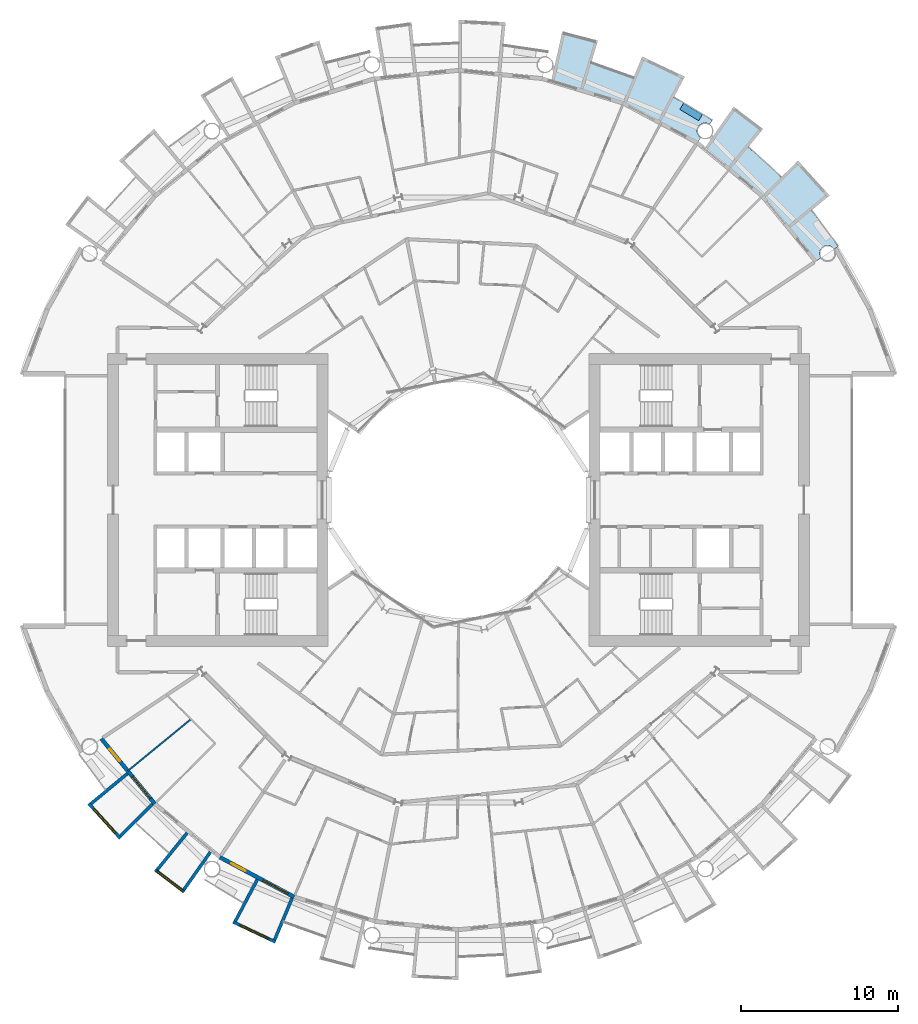
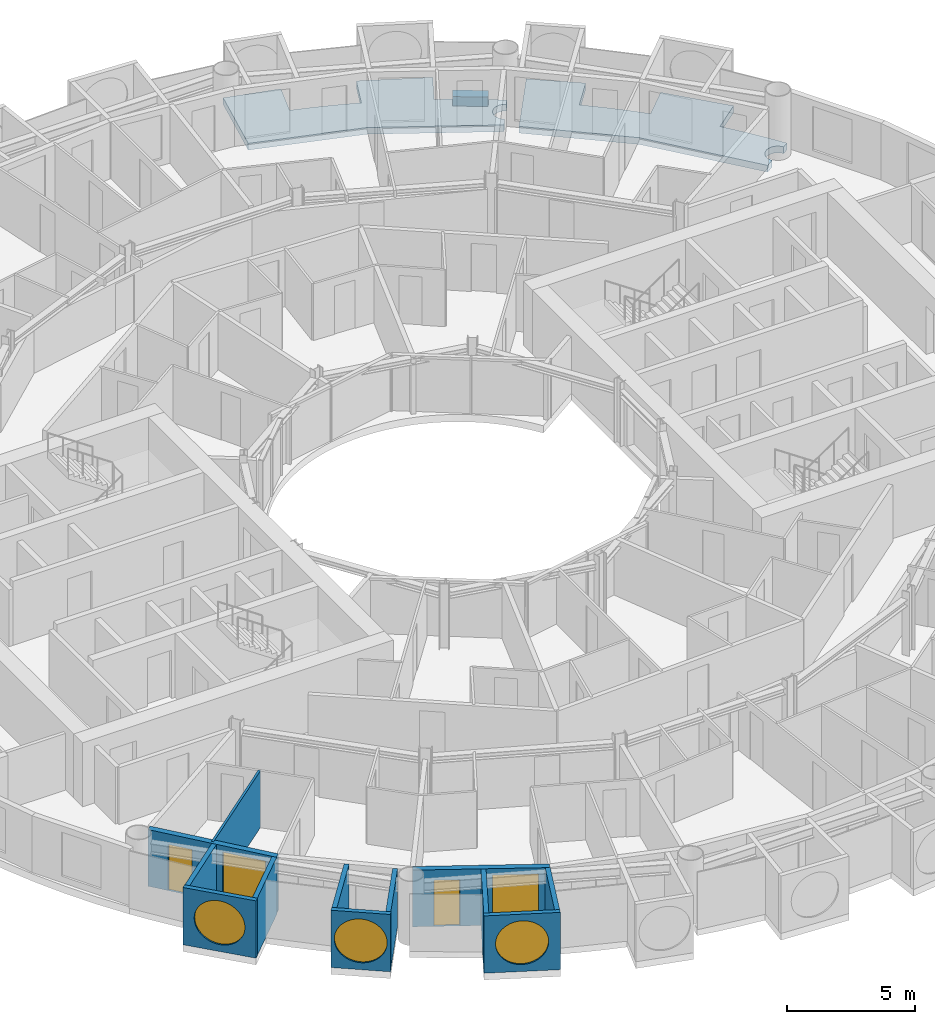
# One storey, part 12 of 26: 12 walls, 5 windows, 3 slabs, 2 doors, 7 openings.
"""IFC4 building model written with IfcOpenShell, lengths in metres."""

from ifc_helpers import new_model, si_unit, direction, frame, frame_2d, origin, place, context, subcontext, project, spatial, polyline, rectangle, circle, outline, extrude, material, layer, layer_set, type_object, element, fill, save


model = new_model("IFC4")

# Units and contexts
model_context = context("Model", 3, precision=1e-05, world=origin(), true_north=direction((0.0, 1.0)))
body_context = subcontext(model_context, "Body", "Model", "MODEL_VIEW")
ifc_project = project(units=[si_unit("LENGTHUNIT", "METRE"), si_unit("AREAUNIT", "SQUARE_METRE"), si_unit("VOLUMEUNIT", "CUBIC_METRE"), si_unit("PLANEANGLEUNIT", "RADIAN"), si_unit("MASSUNIT", "GRAM", prefix="KILO")], contexts=[model_context])

# Site, building, storey
site_placement = place(None, origin())
site = spatial("IfcSite", under=ifc_project, at=site_placement, CompositionType="ELEMENT")
building_placement = place(site_placement, origin())
building = spatial("IfcBuilding", under=site, at=building_placement, Name="Maasbend Ring Residences", CompositionType="ELEMENT")
storey_placement = place(building_placement, frame((0.0, 0.0, 66.64990234375)))
storey = spatial("IfcBuildingStorey", under=building, at=storey_placement, Name="L18", CompositionType="ELEMENT", Elevation=66.64990234375)

# Slabs
ifc_material_1 = material(Name="Planting with climbing greenery")
ifc_layer_1 = layer(ifc_material_1, 0.449951171875)
ifc_layer_set_1 = layer_set([ifc_layer_1], Name="PLANTER-LG")
slab_type_1 = type_object("IfcSlabType", Name="PLANTER-LG", PredefinedType="USERDEFINED", material=ifc_layer_set_1)
slab_1_placement = place(storey_placement, frame((0.0, 0.0, -0.02978515625)))
element("IfcSlab", 1, at=slab_1_placement, inside=storey, type_object=slab_type_1, Name="Planter with climbing greenery 2", ObjectType="PLANTER", PredefinedType="USERDEFINED", context=body_context, shape_type="SweptSolid", body=[
    extrude(outline(polyline([(15.490966796875, 24.48388671875), (14.291015625, 25.2041015625), (14.05908203125, 24.818115234375), (15.260009765625, 24.097900390625), (15.490966796875, 24.48388671875)])), origin(), (0.0, 0.0, 1.0), 0.449951171875),
])
ifc_material_2 = material(Name="Concrete C40/50", Category="concrete")
ifc_layer_2 = layer(ifc_material_2, 0.199951171875)
ifc_layer_set_2 = layer_set([ifc_layer_2], Name="Concrete C40/50")
slab_type_2 = type_object("IfcSlabType", Name="SL-LOGGIA", PredefinedType="FLOOR", material=ifc_layer_set_2)
slab_2_placement = place(storey_placement, frame((0.0, 0.0, -0.349853515625)))
element("IfcSlab", 2, at=slab_2_placement, inside=storey, type_object=slab_type_2, Name="Loggia floor 1", PredefinedType="FLOOR", context=body_context, shape_type="SweptSolid", body=[
    extrude(outline(polyline([(8.85400390625, 29.18701171875), (8.85400390625, 29.18701171875), (8.85400390625, 29.18701171875), (8.41796875, 27.751953125), (8.41796875, 27.751953125), (8.41796875, 27.751953125), (8.41796875, 27.751953125), (8.41796875, 27.751953125), (8.41796875, 27.751953125), (8.41796875, 27.7509765625), (8.41796875, 27.7509765625), (8.41796875, 27.7509765625), (8.41796875, 27.7509765625), (8.41796875, 27.7509765625), (8.4189453125, 27.7509765625), (8.4189453125, 27.7509765625), (8.4189453125, 27.7509765625), (8.4189453125, 27.7509765625), (8.4189453125, 27.7509765625), (8.4189453125, 27.7509765625), (9.322021484375, 27.4609375), (9.322021484375, 27.4609375), (10.215087890625, 27.14111328125), (10.215087890625, 27.14111328125), (11.096923828125, 26.79296875), (11.096923828125, 26.79296875), (11.096923828125, 26.79296875), (11.097900390625, 26.79296875), (11.097900390625, 26.79296875), (11.097900390625, 26.79296875), (11.097900390625, 26.79296875), (11.097900390625, 26.79296875), (11.097900390625, 26.79296875), (11.097900390625, 26.79296875), (11.097900390625, 26.79296875), (11.097900390625, 26.79296875), (11.097900390625, 26.79296875), (11.097900390625, 26.79296875), (11.097900390625, 26.79296875), (11.097900390625, 26.79296875), (11.097900390625, 26.79296875), (11.672119140625, 28.177978515625), (11.672119140625, 28.177978515625), (11.672119140625, 28.177978515625), (14.3779296875, 26.89892578125), (14.3779296875, 26.89892578125), (14.3779296875, 26.89892578125), (13.6708984375, 25.575927734375), (13.6708984375, 25.575927734375), (13.6708984375, 25.575927734375), (13.6708984375, 25.575927734375), (13.6708984375, 25.575927734375), (13.6708984375, 25.575927734375), (13.6708984375, 25.575927734375), (13.6708984375, 25.575927734375), (13.6708984375, 25.575927734375), (13.6708984375, 25.575927734375), (13.6708984375, 25.575927734375), (13.6708984375, 25.575927734375), (13.6708984375, 25.575927734375), (13.6708984375, 25.575927734375), (13.6708984375, 25.575927734375), (13.6708984375, 25.575927734375), (13.6708984375, 25.574951171875), (14.5, 25.114990234375), (14.5, 25.114990234375), (15.31396484375, 24.626953125), (15.31396484375, 24.626953125), (16.112060546875, 24.113037109375), (16.112060546875, 24.113037109375), (16.112060546875, 24.113037109375), (15.948974609375, 23.8701171875), (15.93896484375, 23.876953125), (15.927978515625, 23.883056640625), (15.9169921875, 23.888916015625), (15.906982421875, 23.89501953125), (15.89599609375, 23.90087890625), (15.884033203125, 23.906982421875), (15.873046875, 23.912109375), (15.862060546875, 23.9169921875), (15.85009765625, 23.9208984375), (15.837890625, 23.926025390625), (15.825927734375, 23.929931640625), (15.81494140625, 23.93408203125), (15.802978515625, 23.93701171875), (15.791015625, 23.93994140625), (15.778076171875, 23.943115234375), (15.76611328125, 23.946044921875), (15.75390625, 23.947998046875), (15.741943359375, 23.949951171875), (15.72900390625, 23.951904296875), (15.717041015625, 23.952880859375), (15.7041015625, 23.9541015625), (15.69189453125, 23.955078125), (15.679931640625, 23.955078125), (15.6669921875, 23.955078125), (15.655029296875, 23.955078125), (15.64208984375, 23.955078125), (15.6298828125, 23.9541015625), (15.616943359375, 23.952880859375), (15.60498046875, 23.951904296875), (15.593017578125, 23.949951171875), (15.580078125, 23.947998046875), (15.568115234375, 23.946044921875), (15.555908203125, 23.943115234375), (15.5439453125, 23.93994140625), (15.531982421875, 23.93701171875), (15.52001953125, 23.93408203125), (15.508056640625, 23.929931640625), (15.49609375, 23.926025390625), (15.48388671875, 23.9208984375), (15.472900390625, 23.9169921875), (15.4609375, 23.912109375), (15.449951171875, 23.906982421875), (15.43896484375, 23.90087890625), (15.427978515625, 23.89501953125), (15.4169921875, 23.888916015625), (15.406005859375, 23.883056640625), (15.39501953125, 23.876953125), (15.385009765625, 23.8701171875), (15.375, 23.863037109375), (15.364013671875, 23.85498046875), (15.35498046875, 23.847900390625), (15.344970703125, 23.840087890625), (15.3349609375, 23.83203125), (15.325927734375, 23.823974609375), (15.31689453125, 23.81494140625), (15.30810546875, 23.806884765625), (15.299072265625, 23.798095703125), (15.291015625, 23.7890625), (15.281982421875, 23.779052734375), (15.27392578125, 23.77001953125), (15.26708984375, 23.760009765625), (15.259033203125, 23.75), (15.251953125, 23.739990234375), (15.2451171875, 23.72998046875), (15.238037109375, 23.718994140625), (15.23095703125, 23.708984375), (15.22509765625, 23.697998046875), (15.218994140625, 23.68701171875), (15.212890625, 23.676025390625), (15.2080078125, 23.6650390625), (15.202880859375, 23.653076171875), (15.197998046875, 23.64208984375), (15.193115234375, 23.6298828125), (15.18896484375, 23.618896484375), (15.18505859375, 23.60693359375), (15.180908203125, 23.594970703125), (15.177978515625, 23.5830078125), (15.174072265625, 23.571044921875), (15.1708984375, 23.55908203125), (15.1689453125, 23.547119140625), (15.1669921875, 23.533935546875), (15.1650390625, 23.52197265625), (15.1630859375, 23.510009765625), (15.162109375, 23.4970703125), (15.159912109375, 23.485107421875), (15.159912109375, 23.471923828125), (15.158935546875, 23.4599609375), (15.158935546875, 23.447021484375), (15.158935546875, 23.43505859375), (15.159912109375, 23.422119140625), (15.159912109375, 23.409912109375), (15.162109375, 23.39794921875), (15.1630859375, 23.385009765625), (15.1650390625, 23.373046875), (15.1669921875, 23.361083984375), (15.1689453125, 23.347900390625), (15.1708984375, 23.3359375), (15.174072265625, 23.323974609375), (15.177978515625, 23.31201171875), (15.180908203125, 23.300048828125), (15.18505859375, 23.2880859375), (15.18896484375, 23.27587890625), (15.193115234375, 23.264892578125), (15.197998046875, 23.2529296875), (15.202880859375, 23.241943359375), (15.2080078125, 23.22998046875), (15.212890625, 23.218994140625), (15.218994140625, 23.2080078125), (15.22509765625, 23.197021484375), (15.23095703125, 23.18603515625), (15.238037109375, 23.176025390625), (15.2451171875, 23.1650390625), (15.251953125, 23.155029296875), (15.259033203125, 23.14501953125), (15.26708984375, 23.135009765625), (15.27392578125, 23.125), (15.281982421875, 23.115966796875), (15.291015625, 23.10595703125), (15.299072265625, 23.096923828125), (15.30810546875, 23.087890625), (15.31689453125, 23.0791015625), (15.325927734375, 23.071044921875), (15.3349609375, 23.06298828125), (15.344970703125, 23.054931640625), (15.35498046875, 23.047119140625), (15.364013671875, 23.0390625), (15.375, 23.031982421875), (15.385009765625, 23.02490234375), (15.1669921875, 22.698974609375), (15.1669921875, 22.698974609375), (15.1669921875, 22.698974609375), (12.806884765625, 23.9609375), (10.447021484375, 25.221923828125), (10.447021484375, 25.221923828125), (10.447021484375, 25.221923828125), (7.886962890625, 25.9990234375), (5.89111328125, 26.60400390625), (5.89111328125, 26.60400390625), (5.89111328125, 26.60400390625), (6.593994140625, 29.779052734375), (6.593994140625, 29.779052734375), (6.593994140625, 29.779052734375), (8.85400390625, 29.18701171875)])), origin(), (0.0, 0.0, 1.0), 0.320068359375),
])
slab_3_placement = place(storey_placement, frame((0.0, 0.0, -0.349853515625)))
element("IfcSlab", 3, at=slab_3_placement, inside=storey, type_object=slab_type_2, Name="Loggia floor 4", PredefinedType="FLOOR", context=body_context, shape_type="SweptSolid", body=[
    extrude(outline(polyline([(19.34912109375, 23.576904296875), (19.34912109375, 23.576904296875), (19.34912109375, 23.576904296875), (18.39794921875, 22.41796875), (18.39794921875, 22.41796875), (18.39794921875, 22.41796875), (18.39794921875, 22.41796875), (18.39794921875, 22.41796875), (18.39794921875, 22.4169921875), (18.39794921875, 22.4169921875), (18.39794921875, 22.4169921875), (18.39794921875, 22.4169921875), (18.39794921875, 22.4169921875), (18.39794921875, 22.4169921875), (18.39794921875, 22.4169921875), (18.39794921875, 22.4169921875), (18.39794921875, 22.4169921875), (18.39794921875, 22.4169921875), (18.39794921875, 22.4169921875), (18.39794921875, 22.4169921875), (19.12109375, 21.802978515625), (19.12109375, 21.802978515625), (19.823974609375, 21.166015625), (19.823974609375, 21.166015625), (20.506103515625, 20.506103515625), (20.506103515625, 20.506103515625), (20.506103515625, 20.506103515625), (20.506103515625, 20.506103515625), (20.506103515625, 20.506103515625), (20.506103515625, 20.506103515625), (20.506103515625, 20.506103515625), (20.506103515625, 20.506103515625), (20.506103515625, 20.506103515625), (20.506103515625, 20.506103515625), (20.506103515625, 20.506103515625), (20.506103515625, 20.506103515625), (20.506103515625, 20.506103515625), (20.506103515625, 20.506103515625), (20.506103515625, 20.506103515625), (20.506103515625, 20.506103515625), (20.506103515625, 20.506103515625), (21.56689453125, 21.56689453125), (21.56689453125, 21.56689453125), (21.56689453125, 21.56689453125), (23.576904296875, 19.34912109375), (23.576904296875, 19.34912109375), (23.576904296875, 19.34912109375), (22.41796875, 18.39794921875), (22.41796875, 18.39794921875), (22.41796875, 18.39794921875), (22.41796875, 18.39794921875), (22.41796875, 18.39794921875), (22.41796875, 18.39794921875), (22.41796875, 18.39697265625), (22.41796875, 18.39697265625), (22.41796875, 18.39697265625), (22.41796875, 18.39697265625), (22.41796875, 18.39697265625), (22.41796875, 18.39697265625), (22.41796875, 18.39697265625), (22.41796875, 18.39697265625), (22.41796875, 18.39697265625), (22.41796875, 18.39697265625), (22.41796875, 18.39697265625), (23.007080078125, 17.654052734375), (23.007080078125, 17.654052734375), (23.572998046875, 16.89208984375), (23.572998046875, 16.89208984375), (24.113037109375, 16.112060546875), (24.113037109375, 16.112060546875), (24.113037109375, 16.112060546875), (23.8701171875, 15.948974609375), (23.8701171875, 15.948974609375), (23.863037109375, 15.9599609375), (23.85498046875, 15.969970703125), (23.847900390625, 15.97998046875), (23.840087890625, 15.989013671875), (23.83203125, 15.9990234375), (23.823974609375, 16.008056640625), (23.81494140625, 16.01708984375), (23.806884765625, 16.02587890625), (23.798095703125, 16.034912109375), (23.7890625, 16.0439453125), (23.779052734375, 16.052001953125), (23.77001953125, 16.06005859375), (23.760009765625, 16.068115234375), (23.75, 16.074951171875), (23.739990234375, 16.08203125), (23.72998046875, 16.089111328125), (23.718994140625, 16.095947265625), (23.708984375, 16.10302734375), (23.697998046875, 16.10888671875), (23.68701171875, 16.114990234375), (23.676025390625, 16.12109375), (23.6650390625, 16.1259765625), (23.653076171875, 16.132080078125), (23.64208984375, 16.135986328125), (23.6298828125, 16.14111328125), (23.618896484375, 16.14501953125), (23.60693359375, 16.14892578125), (23.594970703125, 16.153076171875), (23.5830078125, 16.156982421875), (23.571044921875, 16.159912109375), (23.55908203125, 16.1630859375), (23.547119140625, 16.1650390625), (23.533935546875, 16.16796875), (23.52197265625, 16.169921875), (23.510009765625, 16.1708984375), (23.4970703125, 16.173095703125), (23.485107421875, 16.174072265625), (23.471923828125, 16.174072265625), (23.4599609375, 16.175048828125), (23.447021484375, 16.175048828125), (23.43505859375, 16.175048828125), (23.422119140625, 16.174072265625), (23.409912109375, 16.174072265625), (23.39794921875, 16.173095703125), (23.385009765625, 16.1708984375), (23.373046875, 16.169921875), (23.361083984375, 16.16796875), (23.347900390625, 16.1650390625), (23.3359375, 16.1630859375), (23.323974609375, 16.159912109375), (23.31201171875, 16.156982421875), (23.300048828125, 16.153076171875), (23.2880859375, 16.14892578125), (23.27587890625, 16.14501953125), (23.264892578125, 16.14111328125), (23.2529296875, 16.135986328125), (23.241943359375, 16.132080078125), (23.22998046875, 16.1259765625), (23.218994140625, 16.12109375), (23.2080078125, 16.114990234375), (23.197021484375, 16.10888671875), (23.18603515625, 16.10302734375), (23.176025390625, 16.095947265625), (23.1650390625, 16.089111328125), (23.155029296875, 16.08203125), (23.14501953125, 16.074951171875), (23.135009765625, 16.068115234375), (23.125, 16.06005859375), (23.115966796875, 16.052001953125), (23.10595703125, 16.0439453125), (23.096923828125, 16.034912109375), (23.087890625, 16.02587890625), (23.0791015625, 16.01708984375), (23.071044921875, 16.008056640625), (23.06298828125, 15.9990234375), (23.054931640625, 15.989013671875), (23.047119140625, 15.97998046875), (23.0390625, 15.969970703125), (23.031982421875, 15.9599609375), (23.02490234375, 15.948974609375), (23.01806640625, 15.93896484375), (23.011962890625, 15.927978515625), (23.0048828125, 15.9169921875), (22.9990234375, 15.906982421875), (22.993896484375, 15.89599609375), (22.988037109375, 15.884033203125), (22.98291015625, 15.873046875), (22.97802734375, 15.862060546875), (22.972900390625, 15.85009765625), (22.968994140625, 15.837890625), (22.965087890625, 15.825927734375), (22.9609375, 15.81494140625), (22.9580078125, 15.802978515625), (22.955078125, 15.791015625), (22.951904296875, 15.778076171875), (22.948974609375, 15.76611328125), (22.947021484375, 15.75390625), (22.945068359375, 15.741943359375), (22.943115234375, 15.72900390625), (22.94189453125, 15.717041015625), (22.94091796875, 15.7041015625), (22.93994140625, 15.69189453125), (22.93994140625, 15.679931640625), (22.93896484375, 15.6669921875), (22.93994140625, 15.655029296875), (22.93994140625, 15.64208984375), (22.94091796875, 15.6298828125), (22.94189453125, 15.616943359375), (22.943115234375, 15.60498046875), (22.945068359375, 15.593017578125), (22.947021484375, 15.580078125), (22.948974609375, 15.568115234375), (22.951904296875, 15.555908203125), (22.955078125, 15.5439453125), (22.9580078125, 15.531982421875), (22.9609375, 15.52001953125), (22.965087890625, 15.508056640625), (22.968994140625, 15.49609375), (22.972900390625, 15.48388671875), (22.97802734375, 15.472900390625), (22.98291015625, 15.4609375), (22.988037109375, 15.449951171875), (22.993896484375, 15.43896484375), (22.9990234375, 15.427978515625), (23.0048828125, 15.4169921875), (23.011962890625, 15.406005859375), (23.01806640625, 15.39501953125), (23.02490234375, 15.385009765625), (23.02490234375, 15.385009765625), (22.698974609375, 15.1669921875), (22.698974609375, 15.1669921875), (22.698974609375, 15.1669921875), (21.001953125, 17.236083984375), (19.303955078125, 19.303955078125), (19.303955078125, 19.303955078125), (19.303955078125, 19.303955078125), (17.236083984375, 21.001953125), (15.623046875, 22.324951171875), (15.623046875, 22.324951171875), (15.623046875, 22.324951171875), (17.488037109375, 24.989013671875), (17.488037109375, 24.989013671875), (17.488037109375, 24.989013671875), (19.34912109375, 23.576904296875)])), origin(), (0.0, 0.0, 1.0), 0.320068359375),
])

# Wall, opening, window
ifc_material_3 = material(Name="Pale anodised aluminium panel", Category="aluminium")
ifc_layer_3 = layer(ifc_material_3, 0.199951171875)
ifc_layer_set_3 = layer_set([ifc_layer_3], Name="EW-BOX")
wall_type_1 = type_object("IfcWallType", Name="EW-BOX", PredefinedType="SOLIDWALL", material=ifc_layer_set_3)
wall_1_placement = place(storey_placement, frame((-23.5029296875, -19.281982421875, -0.02978515625), z_axis=(0.0, 0.0, 1.0), x_axis=(0.671506829416, -0.740998365753, 0.0)))
wall_1 = element("IfcWall", 4, at=wall_1_placement, inside=storey, type_object=wall_type_1, Name="Box front S02", PredefinedType="SOLIDWALL", context=body_context, shape_type="SweptSolid", body=[
    extrude(rectangle(XDim=2.9931640625, YDim=0.199951171875, at=frame_2d((1.49658203125, 0.0))), origin(), (0.0, 0.0, 1.0), 2.72998046875),
])
opening_1_placement = place(wall_1_placement, frame((0.45654296875, 0.0, 0.330078125)))
opening_1 = element("IfcOpeningElement", 5, at=opening_1_placement, cuts=wall_1, Name="Opening W-RD", PredefinedType="OPENING", context=body_context, shape_type="SweptSolid", body=[
    extrude(circle(Radius=1.0400390625, at=frame_2d((1.0400390625, 1.0400390625))), frame((0.0, 0.10986328125, 0.0), z_axis=(0.0, -1.0, 0.0), x_axis=(1.0, 0.0, 0.0)), (0.0, 0.0, 1.0), 0.219970703125),
])
ifc_material_4 = material(Name="Aluminium and clear glass", Category="aluminium")
window_type_1 = type_object("IfcWindowType", Name="W-RD", PartitioningType="SINGLE_PANEL", PredefinedType="WINDOW", material=ifc_material_4)
window_1_placement = place(opening_1_placement, origin())
window_1 = element("IfcWindow", 6, at=window_1_placement, inside=storey, type_object=window_type_1, Name="Round window S02", OverallHeight=2.080078125, OverallWidth=2.080078125, PartitioningType="SINGLE_PANEL", PredefinedType="WINDOW", context=body_context, shape_type="SweptSolid", body=[
    extrude(circle(Radius=1.0400390625, at=frame_2d((1.0400390625, 1.0400390625))), frame((0.0, 0.030029296875, 0.0), z_axis=(0.0, -1.0, 0.0), x_axis=(1.0, 0.0, 0.0)), (0.0, 0.0, 1.0), 0.06005859375),
])
fill(opening_1, window_1)

# Walls
wall_2_placement = place(storey_placement, frame((-21.041015625, -17.384033203125, -0.02978515625), z_axis=(0.0, 0.0, 1.0), x_axis=(-0.770784861449, -0.63709551667, 0.0)))
element("IfcWall", 7, at=wall_2_placement, inside=storey, type_object=wall_type_1, Name="Box side wall S02 left", PredefinedType="SOLIDWALL", context=body_context, shape_type="SweptSolid", body=[
    extrude(rectangle(XDim=3.005859375, YDim=0.199951171875, at=frame_2d((1.5029296875, 0.0))), origin(), (0.0, 0.0, 1.0), 2.72998046875),
])
wall_3_placement = place(storey_placement, frame((-19.449951171875, -19.322998046875, -0.02978515625), z_axis=(0.0, 0.0, 1.0), x_axis=(-0.709727076896, -0.704476739375, 0.0)))
element("IfcWall", 8, at=wall_3_placement, inside=storey, type_object=wall_type_1, Name="Box side wall S02 right", PredefinedType="SOLIDWALL", context=body_context, shape_type="SweptSolid", body=[
    extrude(rectangle(XDim=2.883056640625, YDim=0.199951171875, at=frame_2d((1.44140625, 0.0))), origin(), (0.0, 0.0, 1.0), 2.72998046875),
])

# Wall, opening, window
wall_4_placement = place(storey_placement, frame((-19.2890625, -23.4970703125, -0.02978515625), z_axis=(0.0, 0.0, 1.0), x_axis=(0.796842165306, -0.60418752353, 0.0)))
wall_4 = element("IfcWall", 9, at=wall_4_placement, inside=storey, type_object=wall_type_1, Name="Box front S04", PredefinedType="SOLIDWALL", context=body_context, shape_type="SweptSolid", body=[
    extrude(rectangle(XDim=2.3369140625, YDim=0.199951171875, at=frame_2d((1.16845703125, 0.0))), origin(), (0.0, 0.0, 1.0), 2.72998046875),
])
opening_2_placement = place(wall_4_placement, frame((0.128173828125, 0.0, 0.330078125)))
opening_2 = element("IfcOpeningElement", 10, at=opening_2_placement, cuts=wall_4, Name="Opening W-RD", PredefinedType="OPENING", context=body_context, shape_type="SweptSolid", body=[
    extrude(circle(Radius=1.0400390625, at=frame_2d((1.0400390625, 1.0400390625))), frame((0.0, 0.10986328125, 0.0), z_axis=(0.0, -1.0, 0.0), x_axis=(1.0, 0.0, 0.0)), (0.0, 0.0, 1.0), 0.219970703125),
])
window_2_placement = place(opening_2_placement, origin())
window_2 = element("IfcWindow", 11, at=window_2_placement, inside=storey, type_object=window_type_1, Name="Round window S04", OverallHeight=2.080078125, OverallWidth=2.080078125, PartitioningType="SINGLE_PANEL", PredefinedType="WINDOW", context=body_context, shape_type="SweptSolid", body=[
    extrude(circle(Radius=1.0400390625, at=frame_2d((1.0400390625, 1.0400390625))), frame((0.0, 0.030029296875, 0.0), z_axis=(0.0, -1.0, 0.0), x_axis=(1.0, 0.0, 0.0)), (0.0, 0.0, 1.0), 0.06005859375),
])
fill(opening_2, window_2)

# Walls
wall_5_placement = place(storey_placement, frame((-17.24609375, -21.155029296875, -0.02978515625), z_axis=(0.0, 0.0, 1.0), x_axis=(-0.631741648902, -0.775179004516, 0.0)))
element("IfcWall", 12, at=wall_5_placement, inside=storey, type_object=wall_type_1, Name="Box side wall S04 left", PredefinedType="SOLIDWALL", context=body_context, shape_type="SweptSolid", body=[
    extrude(rectangle(XDim=3.005859375, YDim=0.199951171875, at=frame_2d((1.5029296875, 0.0))), origin(), (0.0, 0.0, 1.0), 2.72998046875),
])
wall_6_placement = place(storey_placement, frame((-15.764892578125, -22.3701171875, -0.02978515625), z_axis=(0.0, 0.0, 1.0), x_axis=(-0.576274612209, -0.817256123454, 0.0)))
element("IfcWall", 13, at=wall_6_placement, inside=storey, type_object=wall_type_1, Name="Box side wall S04 right", PredefinedType="SOLIDWALL", context=body_context, shape_type="SweptSolid", body=[
    extrude(rectangle(XDim=2.932861328125, YDim=0.199951171875, at=frame_2d((1.46630859375, 0.0))), origin(), (0.0, 0.0, 1.0), 2.72998046875),
])

# Wall, opening, window
wall_7_placement = place(storey_placement, frame((-14.3349609375, -26.80810546875, -0.02978515625), z_axis=(0.0, 0.0, 1.0), x_axis=(0.904000060331, -0.427532327342, 0.0)))
wall_7 = element("IfcWall", 14, at=wall_7_placement, inside=storey, type_object=wall_type_1, Name="Box front S06", PredefinedType="SOLIDWALL", context=body_context, shape_type="SweptSolid", body=[
    extrude(rectangle(XDim=2.993408203125, YDim=0.199951171875, at=frame_2d((1.49658203125, 0.0))), origin(), (0.0, 0.0, 1.0), 2.72998046875),
])
opening_3_placement = place(wall_7_placement, frame((0.45654296875, 0.0, 0.330078125)))
opening_3 = element("IfcOpeningElement", 15, at=opening_3_placement, cuts=wall_7, Name="Opening W-RD", PredefinedType="OPENING", context=body_context, shape_type="SweptSolid", body=[
    extrude(circle(Radius=1.0400390625, at=frame_2d((1.0400390625, 1.0400390625))), frame((0.0, 0.10986328125, 0.0), z_axis=(0.0, -1.0, 0.0), x_axis=(1.0, 0.0, 0.0)), (0.0, 0.0, 1.0), 0.219970703125),
])
window_3_placement = place(opening_3_placement, origin())
window_3 = element("IfcWindow", 16, at=window_3_placement, inside=storey, type_object=window_type_1, Name="Round window S06", OverallHeight=2.080078125, OverallWidth=2.080078125, PartitioningType="SINGLE_PANEL", PredefinedType="WINDOW", context=body_context, shape_type="SweptSolid", body=[
    extrude(circle(Radius=1.0400390625, at=frame_2d((1.0400390625, 1.0400390625))), frame((0.0, 0.030029296875, 0.0), z_axis=(0.0, -1.0, 0.0), x_axis=(1.0, 0.0, 0.0)), (0.0, 0.0, 1.0), 0.06005859375),
])
fill(opening_3, window_3)

# Walls
wall_8_placement = place(storey_placement, frame((-12.787109375, -24.113037109375, -0.02978515625), z_axis=(0.0, 0.0, 1.0), x_axis=(-0.468365282436, -0.883534924159, 0.0)))
element("IfcWall", 17, at=wall_8_placement, inside=storey, type_object=wall_type_1, Name="Box side wall S06 left", PredefinedType="SOLIDWALL", context=body_context, shape_type="SweptSolid", body=[
    extrude(rectangle(XDim=3.006103515625, YDim=0.199951171875, at=frame_2d((1.5029296875, 0.0))), origin(), (0.0, 0.0, 1.0), 2.72998046875),
])
wall_9_placement = place(storey_placement, frame((-10.574951171875, -25.294921875, -0.02978515625), z_axis=(0.0, 0.0, 1.0), x_axis=(-0.385697364644, -0.922625353492, 0.0)))
element("IfcWall", 18, at=wall_9_placement, inside=storey, type_object=wall_type_1, Name="Box side wall S06 right", PredefinedType="SOLIDWALL", context=body_context, shape_type="SweptSolid", body=[
    extrude(rectangle(XDim=2.88330078125, YDim=0.199951171875, at=frame_2d((1.441650390625, 0.0))), origin(), (0.0, 0.0, 1.0), 2.72998046875),
])

# Wall, openings, door, window
ifc_material_5 = material(Name="Aluminium clad insulated panel", Category="aluminium")
ifc_layer_4 = layer(ifc_material_5, 0.25)
ifc_layer_set_4 = layer_set([ifc_layer_4], Name="EW-GL")
wall_type_2 = type_object("IfcWallType", Name="EW-GL", PredefinedType="SOLIDWALL", material=ifc_layer_set_4)
wall_10_placement = place(storey_placement, frame((-22.698974609375, -15.1669921875, 0.0), z_axis=(0.0, 0.0, 1.0), x_axis=(0.634382322723, -0.773019449054, 0.0)))
wall_10 = element("IfcWall", 19, at=wall_10_placement, inside=storey, type_object=wall_type_2, Name="External wall S01", PredefinedType="SOLIDWALL", context=body_context, shape_type="SweptSolid", body=[
    extrude(rectangle(XDim=5.351806640625, YDim=0.25, at=frame_2d((2.67578125, 0.0))), origin(), (0.0, 0.0, 1.0), 2.7001953125),
])
opening_4_placement = place(wall_10_placement, frame((0.841064453125, 0.0, 0.0)))
opening_4 = element("IfcOpeningElement", 20, at=opening_4_placement, cuts=wall_10, Name="Opening D-LG", PredefinedType="OPENING", context=body_context, shape_type="SweptSolid", body=[
    extrude(rectangle(XDim=1.0, YDim=2.199951171875, at=frame_2d((0.5, 1.10009765625))), frame((0.0, 0.135009765625, 0.0), z_axis=(0.0, -1.0, 0.0), x_axis=(1.0, 0.0, 0.0)), (0.0, 0.0, 1.0), 0.27001953125),
])
opening_5_placement = place(wall_10_placement, frame((3.110595703125, 0.0, 0.300048828125)))
opening_5 = element("IfcOpeningElement", 21, at=opening_5_placement, cuts=wall_10, Name="Opening W-BX", PredefinedType="OPENING", context=body_context, shape_type="SweptSolid", body=[
    extrude(rectangle(XDim=1.800048828125, YDim=2.10009765625, at=frame_2d((0.89990234375, 1.050048828125))), frame((0.0, 0.135009765625, 0.0), z_axis=(0.0, -1.0, 0.0), x_axis=(1.0, 0.0, 0.0)), (0.0, 0.0, 1.0), 0.27001953125),
])
ifc_material_6 = material(Name="Aluminium and clear glass", Category="aluminium")
door_type = type_object("IfcDoorType", Name="D-LG", OperationType="SINGLE_SWING_LEFT", PredefinedType="DOOR", material=ifc_material_6)
door_1_placement = place(opening_4_placement, origin())
door_1 = element("IfcDoor", 22, at=door_1_placement, inside=storey, type_object=door_type, Name="Loggia door S01", OperationType="SINGLE_SWING_LEFT", OverallHeight=2.199951171875, OverallWidth=1.0, PredefinedType="DOOR", context=body_context, shape_type="SweptSolid", body=[
    extrude(rectangle(XDim=1.0, YDim=2.199951171875, at=frame_2d((0.5, 1.10009765625))), frame((0.0, 0.02490234375, 0.0), z_axis=(0.0, -1.0, 0.0), x_axis=(1.0, 0.0, 0.0)), (0.0, 0.0, 1.0), 0.050048828125),
])
fill(opening_4, door_1)
ifc_material_7 = material(Name="Aluminium and clear glass", Category="aluminium")
window_type_2 = type_object("IfcWindowType", Name="W-BX", PartitioningType="DOUBLE_PANEL_VERTICAL", PredefinedType="WINDOW", material=ifc_material_7)
window_4_placement = place(opening_5_placement, origin())
window_4 = element("IfcWindow", 23, at=window_4_placement, inside=storey, type_object=window_type_2, Name="Window S02 room to box", OverallHeight=2.10009765625, OverallWidth=1.800048828125, PartitioningType="SINGLE_PANEL", PredefinedType="WINDOW", context=body_context, shape_type="SweptSolid", body=[
    extrude(rectangle(XDim=1.800048828125, YDim=2.10009765625, at=frame_2d((0.89990234375, 1.050048828125))), frame((0.0, 0.030029296875, 0.0), z_axis=(0.0, -1.0, 0.0), x_axis=(1.0, 0.0, 0.0)), (0.0, 0.0, 1.0), 0.06005859375),
])
fill(opening_5, window_4)

wall_11_placement = place(storey_placement, frame((-15.1669921875, -22.698974609375, 0.0), z_axis=(0.0, 0.0, 1.0), x_axis=(0.881915646801, -0.471407246368, 0.0)))
wall_11 = element("IfcWall", 24, at=wall_11_placement, inside=storey, type_object=wall_type_2, Name="External wall S03", PredefinedType="SOLIDWALL", context=body_context, shape_type="SweptSolid", body=[
    extrude(rectangle(XDim=5.35205078125, YDim=0.25, at=frame_2d((2.676025390625, 0.0))), origin(), (0.0, 0.0, 1.0), 2.7001953125),
])
opening_6_placement = place(wall_11_placement, frame((0.841064453125, 0.0, 0.0)))
opening_6 = element("IfcOpeningElement", 25, at=opening_6_placement, cuts=wall_11, Name="Opening D-LG", PredefinedType="OPENING", context=body_context, shape_type="SweptSolid", body=[
    extrude(rectangle(XDim=1.0, YDim=2.199951171875, at=frame_2d((0.5, 1.10009765625))), frame((0.0, 0.135009765625, 0.0), z_axis=(0.0, -1.0, 0.0), x_axis=(1.0, 0.0, 0.0)), (0.0, 0.0, 1.0), 0.27001953125),
])
opening_7_placement = place(wall_11_placement, frame((3.110595703125, 0.0, 0.300048828125)))
opening_7 = element("IfcOpeningElement", 26, at=opening_7_placement, cuts=wall_11, Name="Opening W-BX", PredefinedType="OPENING", context=body_context, shape_type="SweptSolid", body=[
    extrude(rectangle(XDim=1.800048828125, YDim=2.10009765625, at=frame_2d((0.89990234375, 1.050048828125))), frame((0.0, 0.135009765625, 0.0), z_axis=(0.0, -1.0, 0.0), x_axis=(1.0, 0.0, 0.0)), (0.0, 0.0, 1.0), 0.27001953125),
])
door_2_placement = place(opening_6_placement, origin())
door_2 = element("IfcDoor", 27, at=door_2_placement, inside=storey, type_object=door_type, Name="Loggia door S05", OperationType="SINGLE_SWING_LEFT", OverallHeight=2.199951171875, OverallWidth=1.0, PredefinedType="DOOR", context=body_context, shape_type="SweptSolid", body=[
    extrude(rectangle(XDim=1.0, YDim=2.199951171875, at=frame_2d((0.5, 1.10009765625))), frame((0.0, 0.02490234375, 0.0), z_axis=(0.0, -1.0, 0.0), x_axis=(1.0, 0.0, 0.0)), (0.0, 0.0, 1.0), 0.050048828125),
])
fill(opening_6, door_2)
window_5_placement = place(opening_7_placement, origin())
window_5 = element("IfcWindow", 28, at=window_5_placement, inside=storey, type_object=window_type_2, Name="Window S06 room to box", OverallHeight=2.10009765625, OverallWidth=1.800048828125, PartitioningType="SINGLE_PANEL", PredefinedType="WINDOW", context=body_context, shape_type="SweptSolid", body=[
    extrude(rectangle(XDim=1.800048828125, YDim=2.10009765625, at=frame_2d((0.89990234375, 1.050048828125))), frame((0.0, 0.030029296875, 0.0), z_axis=(0.0, -1.0, 0.0), x_axis=(1.0, 0.0, 0.0)), (0.0, 0.0, 1.0), 0.06005859375),
])
fill(opening_7, window_5)

# Wall
ifc_material_8 = material(Name="Gypsum board on steel studs", Category="steel")
ifc_layer_5 = layer(ifc_material_8, 0.10009765625)
ifc_layer_set_5 = layer_set([ifc_layer_5], Name="PARTITION 100 GYPSUM")
wall_type_3 = type_object("IfcWallType", Name="PARTITION 100 GYPSUM", PredefinedType="PARTITIONING", material=ifc_layer_set_5)
wall_12_placement = place(storey_placement, frame((-21.02294921875, -17.219970703125, 0.0), z_axis=(0.0, 0.0, 1.0), x_axis=(0.773517471898, 0.633774976367, 0.0)))
element("IfcWall", 29, at=wall_12_placement, inside=storey, type_object=wall_type_3, Name="U-L18-w031", PredefinedType="PARTITIONING", context=body_context, shape_type="SweptSolid", body=[
    extrude(rectangle(XDim=5.19580078125, YDim=0.10009765625, at=frame_2d((2.597900390625, 0.0))), origin(), (0.0, 0.0, 1.0), 2.7001953125),
])

save(model, "model.ifc")
